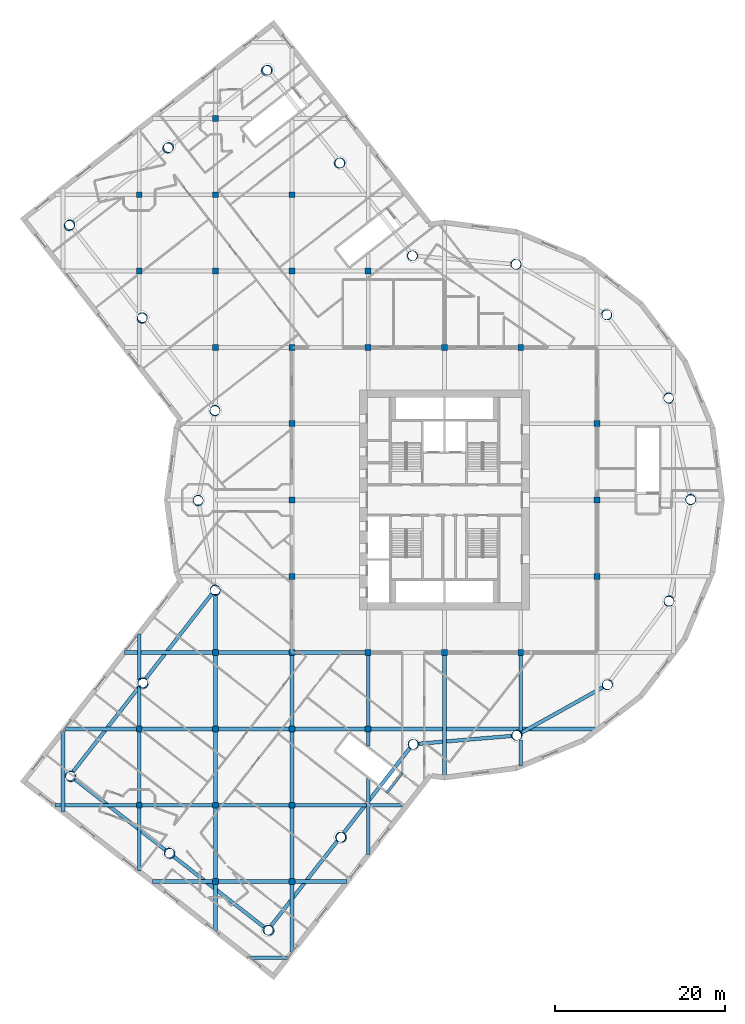
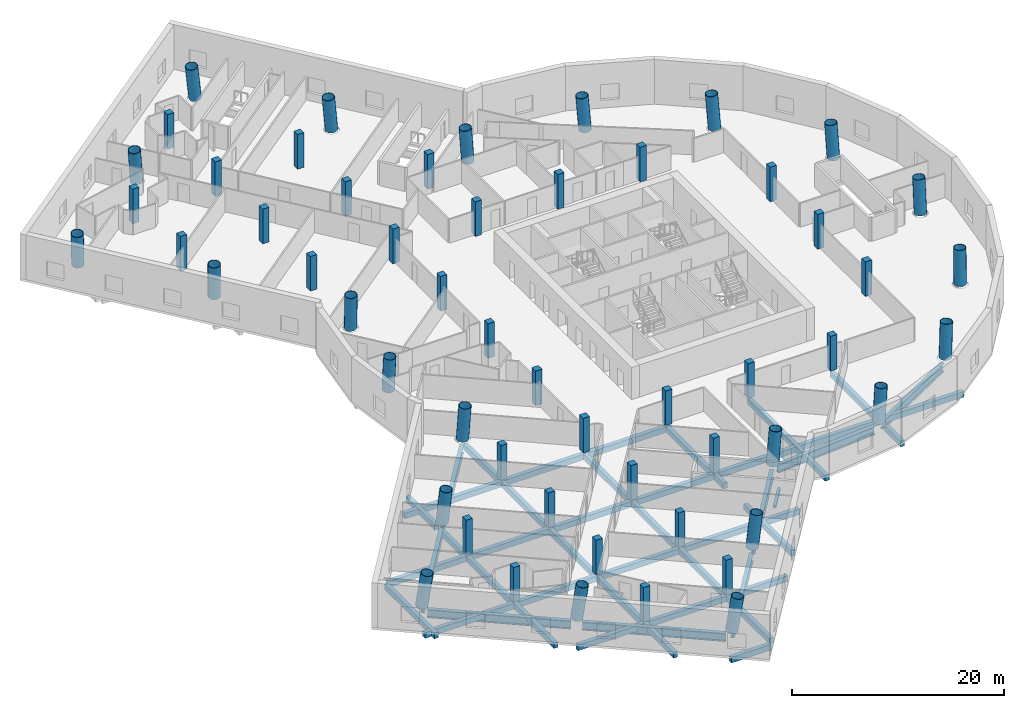
# One storey, part 1 of 15: 55 columns, 45 beams.
"""IFC4 building model written with IfcOpenShell, lengths in metres."""

from ifc_helpers import new_model, si_unit, direction, frame, origin, origin_2d, place, context, subcontext, project, spatial, rectangle, hollow_circle, i_section, extrude, material, material_profile, profile_set, type_object, element, save


model = new_model("IFC4")

# Units and contexts
model_context = context("Model", 3, precision=1e-05, world=origin(), true_north=direction((0.0, 1.0)))
body_context = subcontext(model_context, "Body", "Model", "MODEL_VIEW")
ifc_project = project(units=[si_unit("LENGTHUNIT", "METRE"), si_unit("AREAUNIT", "SQUARE_METRE"), si_unit("VOLUMEUNIT", "CUBIC_METRE"), si_unit("PLANEANGLEUNIT", "RADIAN"), si_unit("MASSUNIT", "GRAM", prefix="KILO")], contexts=[model_context])

# Site, building, storey
site_placement = place(None, origin())
site = spatial("IfcSite", under=ifc_project, at=site_placement, CompositionType="ELEMENT")
building_placement = place(site_placement, origin())
building = spatial("IfcBuilding", under=site, at=building_placement, Name="Tarsis Ring Headquarters", CompositionType="ELEMENT")
storey_placement = place(building_placement, frame((0.0, 0.0, 30.0)))
storey = spatial("IfcBuildingStorey", under=building, at=storey_placement, Name="L05", CompositionType="ELEMENT", Elevation=30.0)

# Columns
ifc_material_1 = material(Name="Concrete C40/50", Category="concrete")
ifc_material_profile_1 = material_profile(ifc_material_1, rectangle(XDim=0.699951171875, YDim=0.699951171875, at=origin_2d()), Name="PO-C700")
ifc_profile_set_1 = profile_set([ifc_material_profile_1], Name="Concrete C40/50")
column_type_1 = type_object("IfcColumnType", Name="PO-C700", PredefinedType="COLUMN", material=ifc_profile_set_1)
for number, where, z_axis, x_axis, name in (
    (1, (-36.0, -36.0, 0.0), (0.0, 0.0, 1.0), (1.0, 0.0, 0.0), "L05 column 1"),
    (2, (-36.0, -27.0, 0.0), (0.0, 0.0, 1.0), (1.0, 0.0, 0.0), "L05 column 2"),
    (3, (-36.0, 27.0, 0.0), (0.0, 0.0, 1.0), (1.0, 0.0, 0.0), "L05 column 3"),
    (4, (-36.0, 36.0, 0.0), (0.0, 0.0, 1.0), (1.0, 0.0, 0.0), "L05 column 4"),
    (5, (-27.0, -45.0, 0.0), (0.0, 0.0, 1.0), (1.0, 0.0, 0.0), "L05 column 5"),
    (6, (-27.0, -36.0, 0.0), (0.0, 0.0, 1.0), (1.0, 0.0, 0.0), "L05 column 6"),
    (7, (-27.0, -27.0, 0.0), (0.0, 0.0, 1.0), (1.0, 0.0, 0.0), "L05 column 7"),
    (8, (-27.0, -18.0, 0.0), (0.0, 0.0, 1.0), (1.0, 0.0, 0.0), "L05 column 8"),
    (9, (-27.0, 18.0, 0.0), (0.0, 0.0, 1.0), (1.0, 0.0, 0.0), "L05 column 9"),
    (10, (-27.0, 27.0, 0.0), (0.0, 0.0, 1.0), (1.0, 0.0, 0.0), "L05 column 10"),
    (11, (-27.0, 36.0, 0.0), (0.0, 0.0, 1.0), (1.0, 0.0, 0.0), "L05 column 11"),
    (12, (-27.0, 45.0, 0.0), (0.0, 0.0, 1.0), (1.0, 0.0, 0.0), "L05 column 12"),
    (13, (-18.0, -45.0, 0.0), (0.0, 0.0, 1.0), (1.0, 0.0, 0.0), "L05 column 13"),
    (14, (-18.0, -36.0, 0.0), (0.0, 0.0, 1.0), (1.0, 0.0, 0.0), "L05 column 14"),
    (15, (-18.0, -27.0, 0.0), (0.0, 0.0, 1.0), (1.0, 0.0, 0.0), "L05 column 15"),
    (16, (-18.0, -18.0, 0.0), (0.0, 0.0, 1.0), (1.0, 0.0, 0.0), "L05 column 16"),
    (17, (-18.0, -9.0, 0.0), (0.0, 0.0, 1.0), (1.0, 0.0, 0.0), "L05 column 17"),
    (18, (-18.0, 0.0, 0.0), (0.0, 0.0, 1.0), (1.0, 0.0, 0.0), "L05 column 18"),
    (19, (-18.0, 9.0, 0.0), (0.0, 0.0, 1.0), (1.0, 0.0, 0.0), "L05 column 19"),
    (20, (-18.0, 18.0, 0.0), (0.0, 0.0, 1.0), (1.0, 0.0, 0.0), "L05 column 20"),
    (21, (-18.0, 27.0, 0.0), (0.0, 0.0, 1.0), (1.0, 0.0, 0.0), "L05 column 21"),
    (22, (-18.0, 36.0, 0.0), (0.0, 0.0, 1.0), (1.0, 0.0, 0.0), "L05 column 22"),
    (23, (-9.0, -27.0, 0.0), (0.0, 0.0, 1.0), (1.0, 0.0, 0.0), "L05 column 23"),
    (24, (-9.0, -18.0, 0.0), (0.0, 0.0, 1.0), (1.0, 0.0, 0.0), "L05 column 24"),
    (25, (-9.0, 18.0, 0.0), (0.0, 0.0, 1.0), (1.0, 0.0, 0.0), "L05 column 25"),
    (26, (-9.0, 27.0, 0.0), (0.0, 0.0, 1.0), (1.0, 0.0, 0.0), "L05 column 26"),
    (27, (0.0, -18.0, 0.0), (0.0, 0.0, 1.0), (1.0, 0.0, 0.0), "L05 column 27"),
    (28, (0.0, 18.0, 0.0), (0.0, 0.0, 1.0), (1.0, 0.0, 0.0), "L05 column 28"),
    (29, (9.0, -18.0, 0.0), (0.0, 0.0, 1.0), (1.0, 0.0, 0.0), "L05 column 29"),
    (30, (9.0, 18.0, 0.0), (0.0, 0.0, 1.0), (1.0, 0.0, 0.0), "L05 column 30"),
    (31, (18.0, -9.0, 0.0), (0.0, 0.0, 1.0), (1.0, 0.0, 0.0), "L05 column 31"),
    (32, (18.0, 0.0, 0.0), (0.0, 0.0, 1.0), (1.0, 0.0, 0.0), "L05 column 32"),
    (33, (18.0, 9.0, 0.0), (0.0, 0.0, 1.0), (1.0, 0.0, 0.0), "L05 column 33"),
):
    element("IfcColumn", number, at=place(storey_placement, frame(where, z_axis=z_axis, x_axis=x_axis)), inside=storey, type_object=column_type_1, Name=name, PredefinedType="COLUMN", context=body_context, shape_type="SweptSolid", body=[
        extrude(rectangle(XDim=0.699951171875, YDim=0.699951171875, at=origin_2d()), origin(), (0.0, 0.0, 1.0), 4.0),
    ])
ifc_material_2 = material(Name="Structural steel S460", Category="steel")
ifc_material_profile_2 = material_profile(ifc_material_2, hollow_circle(Radius=0.609619140625, WallThickness=0.050048828125, at=origin_2d()), Name="CHS 1219x50")
ifc_profile_set_2 = profile_set([ifc_material_profile_2], Name="Structural steel S460")
column_type_2 = type_object("IfcColumnType", Name="XC Exo column CHS 1219x50", PredefinedType="COLUMN", material=ifc_profile_set_2)
column_1_placement = place(storey_placement, frame((-29.048583984375, -0.00244140625, 0.032958984375), z_axis=(0.000430746839, -0.075872979006, 0.99711739806), x_axis=(0.999983885033, 0.005677118569, 0.0)))
element("IfcColumn", 34, at=column_1_placement, inside=storey, type_object=column_type_2, Name="Exo column XC1 F1", PredefinedType="COLUMN", context=body_context, shape_type="SweptSolid", body=[
    extrude(hollow_circle(Radius=0.609619140625, WallThickness=0.050048828125, at=origin_2d()), origin(), (0.0, 0.0, 1.0), 3.967529296875),
])
column_2_placement = place(storey_placement, frame((-27.050537109375, -10.5869140625, 0.027587890625), z_axis=(0.0280220835, -0.070485372313, 0.99711913788), x_axis=(0.929256857726, 0.369434286943, 0.0)))
element("IfcColumn", 35, at=column_2_placement, inside=storey, type_object=column_type_2, Name="Exo column XC1 AK", PredefinedType="COLUMN", context=body_context, shape_type="SweptSolid", body=[
    extrude(hollow_circle(Radius=0.609619140625, WallThickness=0.050048828125, at=origin_2d()), origin(), (0.0, 0.0, 1.0), 3.972900390625),
])
column_3_placement = place(storey_placement, frame((-35.60791015625, -21.5439453125, 0.0419921875), z_axis=(0.056514663403, -0.09240578406, 0.99411632312), x_axis=(0.853099141758, 0.521748842195, 0.0)))
element("IfcColumn", 36, at=column_3_placement, inside=storey, type_object=column_type_2, Name="Exo column XC1 AI1", PredefinedType="COLUMN", context=body_context, shape_type="SweptSolid", body=[
    extrude(hollow_circle(Radius=0.609619140625, WallThickness=0.050048828125, at=origin_2d()), origin(), (0.0, 0.0, 1.0), 3.9658203125),
])
column_4_placement = place(storey_placement, frame((-44.16455078125, -32.501708984375, 0.05712890625), z_axis=(0.084772392869, -0.114036118605, 0.989853223999), x_axis=(0.802542183006, 0.596595377535, 0.0)))
element("IfcColumn", 37, at=column_4_placement, inside=storey, type_object=column_type_2, Name="Exo column XC1 AT1", PredefinedType="COLUMN", context=body_context, shape_type="SweptSolid", body=[
    extrude(hollow_circle(Radius=0.609619140625, WallThickness=0.050048828125, at=origin_2d()), origin(), (0.0, 0.0, 1.0), 3.962890625),
])
column_5_placement = place(storey_placement, frame((-32.500732421875, -41.611572265625, 0.055419921875), z_axis=(0.10831906595, -0.083734704565, 0.990583403456), x_axis=(0.611601189339, 0.791166218439, 0.0)))
element("IfcColumn", 38, at=column_5_placement, inside=storey, type_object=column_type_2, Name="Exo column XC1 AT2", PredefinedType="COLUMN", context=body_context, shape_type="SweptSolid", body=[
    extrude(hollow_circle(Radius=0.609619140625, WallThickness=0.050048828125, at=origin_2d()), origin(), (0.0, 0.0, 1.0), 3.96240234375),
])
column_6_placement = place(storey_placement, frame((-20.837646484375, -50.721435546875, 0.05126953125), z_axis=(0.131766084568, -0.053333891373, 0.989845035846), x_axis=(0.375192757733, 0.926946813223, 0.0)))
element("IfcColumn", 39, at=column_6_placement, inside=storey, type_object=column_type_2, Name="Exo column XC1 AT3", PredefinedType="COLUMN", context=body_context, shape_type="SweptSolid", body=[
    extrude(hollow_circle(Radius=0.609619140625, WallThickness=0.050048828125, at=origin_2d()), origin(), (0.0, 0.0, 1.0), 3.96875),
])
column_7_placement = place(storey_placement, frame((-12.281005859375, -39.764892578125, 0.040771484375), z_axis=(0.103639819087, -0.031448899972, 0.994117575838), x_axis=(0.290370110679, 0.956914415622, 0.0)))
element("IfcColumn", 40, at=column_7_placement, inside=storey, type_object=column_type_2, Name="Exo column XC1 AO1", PredefinedType="COLUMN", context=body_context, shape_type="SweptSolid", body=[
    extrude(hollow_circle(Radius=0.609619140625, WallThickness=0.050048828125, at=origin_2d()), origin(), (0.0, 0.0, 1.0), 3.967041015625),
])
column_8_placement = place(storey_placement, frame((-3.723876953125, -28.808837890625, 0.031005859375), z_axis=(0.075220917387, -0.009348797582, 0.997123068418), x_axis=(0.123335635429, 0.992365014011, 0.0)))
element("IfcColumn", 41, at=column_8_placement, inside=storey, type_object=column_type_2, Name="Exo column XC1 AJ", PredefinedType="COLUMN", context=body_context, shape_type="SweptSolid", body=[
    extrude(hollow_circle(Radius=0.609619140625, WallThickness=0.050048828125, at=origin_2d()), origin(), (0.0, 0.0, 1.0), 3.969482421875),
])
column_9_placement = place(storey_placement, frame((8.481689453125, -27.78271484375, 0.028564453125), z_axis=(0.072408289881, 0.022558440056, 0.99711993077), x_axis=(-0.297444215718, 0.954739199225, 0.0)))
element("IfcColumn", 42, at=column_9_placement, inside=storey, type_object=column_type_2, Name="Exo column XC1 R1", PredefinedType="COLUMN", context=body_context, shape_type="SweptSolid", body=[
    extrude(hollow_circle(Radius=0.609619140625, WallThickness=0.050048828125, at=origin_2d()), origin(), (0.0, 0.0, 1.0), 3.971923828125),
])
column_10_placement = place(storey_placement, frame((19.1796875, -21.81640625, 0.031982421875), z_axis=(0.056660389614, 0.050323777095, 0.997124424386), x_axis=(-0.664061454838, 0.747677994994, 0.0)))
element("IfcColumn", 43, at=column_10_placement, inside=storey, type_object=column_type_2, Name="Exo column XC1 R2", PredefinedType="COLUMN", context=body_context, shape_type="SweptSolid", body=[
    extrude(hollow_circle(Radius=0.609619140625, WallThickness=0.050048828125, at=origin_2d()), origin(), (0.0, 0.0, 1.0), 3.968505859375),
])
column_11_placement = place(storey_placement, frame((26.466796875, -11.9716796875, 0.02783203125), z_axis=(0.030912242464, 0.06926063073, 0.997119550654), x_axis=(-0.913175580593, 0.407566386014, 0.0)))
element("IfcColumn", 44, at=column_11_placement, inside=storey, type_object=column_type_2, Name="Exo column XC1 R3", PredefinedType="COLUMN", context=body_context, shape_type="SweptSolid", body=[
    extrude(hollow_circle(Radius=0.609619140625, WallThickness=0.050048828125, at=origin_2d()), origin(), (0.0, 0.0, 1.0), 3.97265625),
])
column_12_placement = place(storey_placement, frame((29.048583984375, 0.00244140625, 0.032958984375), z_axis=(-0.000430746839, 0.075872979006, 0.99711739806), x_axis=(-0.999983885033, -0.005677118569, 0.0)))
element("IfcColumn", 45, at=column_12_placement, inside=storey, type_object=column_type_2, Name="Exo column XC1 R4", PredefinedType="COLUMN", context=body_context, shape_type="SweptSolid", body=[
    extrude(hollow_circle(Radius=0.609619140625, WallThickness=0.050048828125, at=origin_2d()), origin(), (0.0, 0.0, 1.0), 3.967529296875),
])
column_13_placement = place(storey_placement, frame((26.465087890625, 11.975341796875, 0.028076171875), z_axis=(-0.031590194986, 0.068957585163, 0.997119306317), x_axis=(-0.90914153476, -0.416487298455, 0.0)))
element("IfcColumn", 46, at=column_13_placement, inside=storey, type_object=column_type_2, Name="Exo column XC1 R5", PredefinedType="COLUMN", context=body_context, shape_type="SweptSolid", body=[
    extrude(hollow_circle(Radius=0.609619140625, WallThickness=0.050048828125, at=origin_2d()), origin(), (0.0, 0.0, 1.0), 3.972412109375),
])
column_14_placement = place(storey_placement, frame((19.176025390625, 21.819580078125, 0.03173828125), z_axis=(-0.057210346467, 0.049766849776, 0.997120974065), x_axis=(-0.656319300782, -0.75448325059, 0.0)))
element("IfcColumn", 47, at=column_14_placement, inside=storey, type_object=column_type_2, Name="Exo column XC1 R6", PredefinedType="COLUMN", context=body_context, shape_type="SweptSolid", body=[
    extrude(hollow_circle(Radius=0.609619140625, WallThickness=0.050048828125, at=origin_2d()), origin(), (0.0, 0.0, 1.0), 3.96875),
])
column_15_placement = place(storey_placement, frame((8.4775390625, 27.783935546875, 0.02880859375), z_axis=(-0.072658602493, 0.021760698209, 0.997119450967), x_axis=(-0.286901731351, -0.957960018241, 0.0)))
element("IfcColumn", 48, at=column_15_placement, inside=storey, type_object=column_type_2, Name="Exo column XC1 R7", PredefinedType="COLUMN", context=body_context, shape_type="SweptSolid", body=[
    extrude(hollow_circle(Radius=0.609619140625, WallThickness=0.050048828125, at=origin_2d()), origin(), (0.0, 0.0, 1.0), 3.9716796875),
])
column_16_placement = place(storey_placement, frame((-3.728515625, 28.80810546875, 0.031005859375), z_axis=(-0.075159220651, -0.01008683485, 0.997120527977), x_axis=(0.13301368975, -0.991114200453, 0.0)))
element("IfcColumn", 49, at=column_16_placement, inside=storey, type_object=column_type_2, Name="Exo column XC1 BJ", PredefinedType="COLUMN", context=body_context, shape_type="SweptSolid", body=[
    extrude(hollow_circle(Radius=0.609619140625, WallThickness=0.050048828125, at=origin_2d()), origin(), (0.0, 0.0, 1.0), 3.969482421875),
])
column_17_placement = place(storey_placement, frame((-12.28955078125, 39.76220703125, 0.040771484375), z_axis=(-0.103331933962, -0.032495092991, 0.994115979328), x_axis=(0.299989105062, -0.953942627648, 0.0)))
element("IfcColumn", 50, at=column_17_placement, inside=storey, type_object=column_type_2, Name="Exo column XC1 BO1", PredefinedType="COLUMN", context=body_context, shape_type="SweptSolid", body=[
    extrude(hollow_circle(Radius=0.609619140625, WallThickness=0.050048828125, at=origin_2d()), origin(), (0.0, 0.0, 1.0), 3.967041015625),
])
column_18_placement = place(storey_placement, frame((-20.85107421875, 50.7158203125, 0.05126953125), z_axis=(-0.131151949513, -0.054687656246, 0.989852729649), x_axis=(0.384861287085, -0.92297442527, 0.0)))
element("IfcColumn", 51, at=column_18_placement, inside=storey, type_object=column_type_2, Name="Exo column XC1 BT3", PredefinedType="COLUMN", context=body_context, shape_type="SweptSolid", body=[
    extrude(hollow_circle(Radius=0.609619140625, WallThickness=0.050048828125, at=origin_2d()), origin(), (0.0, 0.0, 1.0), 3.96875),
])
column_19_placement = place(storey_placement, frame((-32.512939453125, 41.602294921875, 0.055908203125), z_axis=(-0.107468968478, -0.084915274406, 0.990575497873), x_axis=(0.619965156744, -0.784629342062, 0.0)))
element("IfcColumn", 52, at=column_19_placement, inside=storey, type_object=column_type_2, Name="Exo column XC1 BT2", PredefinedType="COLUMN", context=body_context, shape_type="SweptSolid", body=[
    extrude(hollow_circle(Radius=0.609619140625, WallThickness=0.050048828125, at=origin_2d()), origin(), (0.0, 0.0, 1.0), 3.9619140625),
])
column_20_placement = place(storey_placement, frame((-44.17431640625, 32.488525390625, 0.056884765625), z_axis=(-0.083596730492, -0.114891600861, 0.989854285591), x_axis=(0.808604821883, -0.588352141177, 0.0)))
element("IfcColumn", 53, at=column_20_placement, inside=storey, type_object=column_type_2, Name="Exo column XC1 BT1", PredefinedType="COLUMN", context=body_context, shape_type="SweptSolid", body=[
    extrude(hollow_circle(Radius=0.609619140625, WallThickness=0.050048828125, at=origin_2d()), origin(), (0.0, 0.0, 1.0), 3.963134765625),
])
column_21_placement = place(storey_placement, frame((-35.61279296875, 21.5361328125, 0.041748046875), z_axis=(-0.055587841931, -0.092954198578, 0.994117452214), x_axis=(0.858244268421, -0.51324143999, 0.0)))
element("IfcColumn", 54, at=column_21_placement, inside=storey, type_object=column_type_2, Name="Exo column XC1 BI1", PredefinedType="COLUMN", context=body_context, shape_type="SweptSolid", body=[
    extrude(hollow_circle(Radius=0.609619140625, WallThickness=0.050048828125, at=origin_2d()), origin(), (0.0, 0.0, 1.0), 3.966064453125),
])
column_22_placement = place(storey_placement, frame((-27.052001953125, 10.5830078125, 0.02783203125), z_axis=(-0.027286415074, -0.070735729167, 0.997121812103), x_axis=(0.932989993661, -0.359902308589, 0.0)))
element("IfcColumn", 55, at=column_22_placement, inside=storey, type_object=column_type_2, Name="Exo column XC1 BK", PredefinedType="COLUMN", context=body_context, shape_type="SweptSolid", body=[
    extrude(hollow_circle(Radius=0.609619140625, WallThickness=0.050048828125, at=origin_2d()), origin(), (0.0, 0.0, 1.0), 3.97265625),
])

# Beams
ifc_material_profile_3 = material_profile(ifc_material_1, rectangle(XDim=0.449951171875, YDim=0.64990234375, at=origin_2d()), Name="PO-B450")
ifc_profile_set_3 = profile_set([ifc_material_profile_3], Name="Concrete C40/50")
beam_type_1 = type_object("IfcBeamType", Name="PO-B450", PredefinedType="BEAM", material=ifc_profile_set_3)
beam_1_placement = place(storey_placement, frame((-45.0, -36.73193359375, -0.574951171875), z_axis=(0.0, 1.0, 0.0), x_axis=(-1.0, 0.0, 0.0)))
element("IfcBeam", 56, at=beam_1_placement, inside=storey, type_object=beam_type_1, Name="L05 floor beam 1", PredefinedType="BEAM", context=body_context, shape_type="SweptSolid", body=[
    extrude(rectangle(XDim=0.449951171875, YDim=0.64990234375, at=origin_2d()), origin(), (0.0, 0.0, 1.0), 9.42724609375),
])
beam_2_placement = place(storey_placement, frame((-36.0, -43.763671875, -0.574951171875), z_axis=(0.0, 1.0, 0.0), x_axis=(-1.0, 0.0, 0.0)))
element("IfcBeam", 57, at=beam_2_placement, inside=storey, type_object=beam_type_1, Name="L05 floor beam 3", PredefinedType="BEAM", context=body_context, shape_type="SweptSolid", body=[
    extrude(rectangle(XDim=0.449951171875, YDim=0.64990234375, at=origin_2d()), origin(), (0.0, 0.0, 1.0), 7.763671875),
])
beam_3_placement = place(storey_placement, frame((-36.0, -36.0, -0.574951171875), z_axis=(0.0, 1.0, 0.0), x_axis=(-1.0, 0.0, 0.0)))
element("IfcBeam", 58, at=beam_3_placement, inside=storey, type_object=beam_type_1, Name="L05 floor beam 4", PredefinedType="BEAM", context=body_context, shape_type="SweptSolid", body=[
    extrude(rectangle(XDim=0.449951171875, YDim=0.64990234375, at=origin_2d()), origin(), (0.0, 0.0, 1.0), 9.0),
])
beam_4_placement = place(storey_placement, frame((-36.0, -27.0, -0.574951171875), z_axis=(0.0, 1.0, 0.0), x_axis=(-1.0, 0.0, 0.0)))
element("IfcBeam", 59, at=beam_4_placement, inside=storey, type_object=beam_type_1, Name="L05 floor beam 5", PredefinedType="BEAM", context=body_context, shape_type="SweptSolid", body=[
    extrude(rectangle(XDim=0.449951171875, YDim=0.64990234375, at=origin_2d()), origin(), (0.0, 0.0, 1.0), 5.146484375),
])
beam_5_placement = place(storey_placement, frame((-36.0, -21.2265625, -0.574951171875), z_axis=(0.0, 1.0, 0.0), x_axis=(-1.0, 0.0, 0.0)))
element("IfcBeam", 60, at=beam_5_placement, inside=storey, type_object=beam_type_1, Name="L05 floor beam 6", PredefinedType="BEAM", context=body_context, shape_type="SweptSolid", body=[
    extrude(rectangle(XDim=0.449951171875, YDim=0.64990234375, at=origin_2d()), origin(), (0.0, 0.0, 1.0), 5.44140625),
])
beam_6_placement = place(storey_placement, frame((-27.0, -50.795166015625, -0.574951171875), z_axis=(0.0, 1.0, 0.0), x_axis=(-1.0, 0.0, 0.0)))
element("IfcBeam", 61, at=beam_6_placement, inside=storey, type_object=beam_type_1, Name="L05 floor beam 11", PredefinedType="BEAM", context=body_context, shape_type="SweptSolid", body=[
    extrude(rectangle(XDim=0.449951171875, YDim=0.64990234375, at=origin_2d()), origin(), (0.0, 0.0, 1.0), 5.795166015625),
])
for number, where, z_axis, x_axis, name in (
    (62, (-27.0, -45.0, -0.574951171875), (0.0, 1.0, 0.0), (-1.0, 0.0, 0.0), "L05 floor beam 12"),
    (63, (-27.0, -36.0, -0.574951171875), (0.0, 1.0, 0.0), (-1.0, 0.0, 0.0), "L05 floor beam 13"),
    (64, (-27.0, -27.0, -0.574951171875), (0.0, 1.0, 0.0), (-1.0, 0.0, 0.0), "L05 floor beam 14"),
):
    element("IfcBeam", number, at=place(storey_placement, frame(where, z_axis=z_axis, x_axis=x_axis)), inside=storey, type_object=beam_type_1, Name=name, PredefinedType="BEAM", context=body_context, shape_type="SweptSolid", body=[
        extrude(rectangle(XDim=0.449951171875, YDim=0.64990234375, at=origin_2d()), origin(), (0.0, 0.0, 1.0), 9.0),
    ])
beam_7_placement = place(storey_placement, frame((-27.0, -18.0, -0.574951171875), z_axis=(0.0, 1.0, 0.0), x_axis=(-1.0, 0.0, 0.0)))
element("IfcBeam", 65, at=beam_7_placement, inside=storey, type_object=beam_type_1, Name="L05 floor beam 15", PredefinedType="BEAM", context=body_context, shape_type="SweptSolid", body=[
    extrude(rectangle(XDim=0.449951171875, YDim=0.64990234375, at=origin_2d()), origin(), (0.0, 0.0, 1.0), 6.917724609375),
])
beam_8_placement = place(storey_placement, frame((-18.0, -53.33154296875, -0.574951171875), z_axis=(0.0, 1.0, 0.0), x_axis=(-1.0, 0.0, 0.0)))
element("IfcBeam", 66, at=beam_8_placement, inside=storey, type_object=beam_type_1, Name="L05 floor beam 22", PredefinedType="BEAM", context=body_context, shape_type="SweptSolid", body=[
    extrude(rectangle(XDim=0.449951171875, YDim=0.64990234375, at=origin_2d()), origin(), (0.0, 0.0, 1.0), 8.33154296875),
])
for number, where, z_axis, x_axis, name in (
    (67, (-18.0, -45.0, -0.574951171875), (0.0, 1.0, 0.0), (-1.0, 0.0, 0.0), "L05 floor beam 23"),
    (68, (-18.0, -36.0, -0.574951171875), (0.0, 1.0, 0.0), (-1.0, 0.0, 0.0), "L05 floor beam 24"),
    (69, (-18.0, -27.0, -0.574951171875), (0.0, 1.0, 0.0), (-1.0, 0.0, 0.0), "L05 floor beam 25"),
):
    element("IfcBeam", number, at=place(storey_placement, frame(where, z_axis=z_axis, x_axis=x_axis)), inside=storey, type_object=beam_type_1, Name=name, PredefinedType="BEAM", context=body_context, shape_type="SweptSolid", body=[
        extrude(rectangle(XDim=0.449951171875, YDim=0.64990234375, at=origin_2d()), origin(), (0.0, 0.0, 1.0), 9.0),
    ])
beam_9_placement = place(storey_placement, frame((-9.0, -41.81201171875, -0.574951171875), z_axis=(0.0, 1.0, 0.0), x_axis=(-1.0, 0.0, 0.0)))
element("IfcBeam", 70, at=beam_9_placement, inside=storey, type_object=beam_type_1, Name="L05 floor beam 34", PredefinedType="BEAM", context=body_context, shape_type="SweptSolid", body=[
    extrude(rectangle(XDim=0.449951171875, YDim=0.64990234375, at=origin_2d()), origin(), (0.0, 0.0, 1.0), 8.939697265625),
])
beam_10_placement = place(storey_placement, frame((-9.0, -29.003173828125, -0.574951171875), z_axis=(0.0, 1.0, 0.0), x_axis=(-1.0, 0.0, 0.0)))
element("IfcBeam", 71, at=beam_10_placement, inside=storey, type_object=beam_type_1, Name="L05 floor beam 35", PredefinedType="BEAM", context=body_context, shape_type="SweptSolid", body=[
    extrude(rectangle(XDim=0.449951171875, YDim=0.64990234375, at=origin_2d()), origin(), (0.0, 0.0, 1.0), 2.003173828125),
])
beam_11_placement = place(storey_placement, frame((-9.0, -27.0, -0.574951171875), z_axis=(0.0, 1.0, 0.0), x_axis=(-1.0, 0.0, 0.0)))
element("IfcBeam", 72, at=beam_11_placement, inside=storey, type_object=beam_type_1, Name="L05 floor beam 36", PredefinedType="BEAM", context=body_context, shape_type="SweptSolid", body=[
    extrude(rectangle(XDim=0.449951171875, YDim=0.64990234375, at=origin_2d()), origin(), (0.0, 0.0, 1.0), 9.0),
])
beam_12_placement = place(storey_placement, frame((0.0, -32.70458984375, -0.574951171875), z_axis=(0.0, 1.0, 0.0), x_axis=(-1.0, 0.0, 0.0)))
element("IfcBeam", 73, at=beam_12_placement, inside=storey, type_object=beam_type_1, Name="L05 floor beam 42", PredefinedType="BEAM", context=body_context, shape_type="SweptSolid", body=[
    extrude(rectangle(XDim=0.449951171875, YDim=0.64990234375, at=origin_2d()), origin(), (0.0, 0.0, 1.0), 14.70458984375),
])
beam_13_placement = place(storey_placement, frame((9.0, -31.371337890625, -0.574951171875), z_axis=(0.0, 1.0, 0.0), x_axis=(-1.0, 0.0, 0.0)))
element("IfcBeam", 74, at=beam_13_placement, inside=storey, type_object=beam_type_1, Name="L05 floor beam 46", PredefinedType="BEAM", context=body_context, shape_type="SweptSolid", body=[
    extrude(rectangle(XDim=0.449951171875, YDim=0.64990234375, at=origin_2d()), origin(), (0.0, 0.0, 1.0), 3.050048828125),
])
beam_14_placement = place(storey_placement, frame((9.0, -27.245361328125, -0.574951171875), z_axis=(0.0, 1.0, 0.0), x_axis=(-1.0, 0.0, 0.0)))
element("IfcBeam", 75, at=beam_14_placement, inside=storey, type_object=beam_type_1, Name="L05 floor beam 47", PredefinedType="BEAM", context=body_context, shape_type="SweptSolid", body=[
    extrude(rectangle(XDim=0.449951171875, YDim=0.64990234375, at=origin_2d()), origin(), (0.0, 0.0, 1.0), 9.245361328125),
])
beam_15_placement = place(storey_placement, frame((-22.89794921875, -54.0, -0.574951171875), z_axis=(1.0, 0.0, 0.0), x_axis=(0.0, 1.0, 0.0)))
element("IfcBeam", 76, at=beam_15_placement, inside=storey, type_object=beam_type_1, Name="L05 floor beam 59", PredefinedType="BEAM", context=body_context, shape_type="SweptSolid", body=[
    extrude(rectangle(XDim=0.449951171875, YDim=0.64990234375, at=origin_2d()), origin(), (0.0, 0.0, 1.0), 4.375732421875),
])
beam_16_placement = place(storey_placement, frame((-34.41748046875, -45.0, -0.574951171875), z_axis=(1.0, 0.0, 0.0), x_axis=(0.0, 1.0, 0.0)))
element("IfcBeam", 77, at=beam_16_placement, inside=storey, type_object=beam_type_1, Name="L05 floor beam 60", PredefinedType="BEAM", context=body_context, shape_type="SweptSolid", body=[
    extrude(rectangle(XDim=0.449951171875, YDim=0.64990234375, at=origin_2d()), origin(), (0.0, 0.0, 1.0), 7.41748046875),
])
beam_17_placement = place(storey_placement, frame((-27.0, -45.0, -0.574951171875), z_axis=(1.0, 0.0, 0.0), x_axis=(0.0, 1.0, 0.0)))
element("IfcBeam", 78, at=beam_17_placement, inside=storey, type_object=beam_type_1, Name="L05 floor beam 61", PredefinedType="BEAM", context=body_context, shape_type="SweptSolid", body=[
    extrude(rectangle(XDim=0.449951171875, YDim=0.64990234375, at=origin_2d()), origin(), (0.0, 0.0, 1.0), 9.0),
])
beam_18_placement = place(storey_placement, frame((-18.0, -45.0, -0.574951171875), z_axis=(1.0, 0.0, 0.0), x_axis=(0.0, 1.0, 0.0)))
element("IfcBeam", 79, at=beam_18_placement, inside=storey, type_object=beam_type_1, Name="L05 floor beam 62", PredefinedType="BEAM", context=body_context, shape_type="SweptSolid", body=[
    extrude(rectangle(XDim=0.449951171875, YDim=0.64990234375, at=origin_2d()), origin(), (0.0, 0.0, 1.0), 6.50927734375),
])
beam_19_placement = place(storey_placement, frame((-45.93701171875, -36.0, -0.574951171875), z_axis=(1.0, 0.0, 0.0), x_axis=(0.0, 1.0, 0.0)))
element("IfcBeam", 80, at=beam_19_placement, inside=storey, type_object=beam_type_1, Name="L05 floor beam 63", PredefinedType="BEAM", context=body_context, shape_type="SweptSolid", body=[
    extrude(rectangle(XDim=0.449951171875, YDim=0.64990234375, at=origin_2d()), origin(), (0.0, 0.0, 1.0), 9.93701171875),
])
for number, where, z_axis, x_axis, name in (
    (81, (-36.0, -36.0, -0.574951171875), (1.0, 0.0, 0.0), (0.0, 1.0, 0.0), "L05 floor beam 64"),
    (82, (-27.0, -36.0, -0.574951171875), (1.0, 0.0, 0.0), (0.0, 1.0, 0.0), "L05 floor beam 65"),
):
    element("IfcBeam", number, at=place(storey_placement, frame(where, z_axis=z_axis, x_axis=x_axis)), inside=storey, type_object=beam_type_1, Name=name, PredefinedType="BEAM", context=body_context, shape_type="SweptSolid", body=[
        extrude(rectangle(XDim=0.449951171875, YDim=0.64990234375, at=origin_2d()), origin(), (0.0, 0.0, 1.0), 9.0),
    ])
beam_20_placement = place(storey_placement, frame((-18.0, -36.0, -0.574951171875), z_axis=(1.0, 0.0, 0.0), x_axis=(0.0, 1.0, 0.0)))
element("IfcBeam", 83, at=beam_20_placement, inside=storey, type_object=beam_type_1, Name="L05 floor beam 66", PredefinedType="BEAM", context=body_context, shape_type="SweptSolid", body=[
    extrude(rectangle(XDim=0.449951171875, YDim=0.64990234375, at=origin_2d()), origin(), (0.0, 0.0, 1.0), 13.0068359375),
])
beam_21_placement = place(storey_placement, frame((-44.761962890625, -27.0, -0.574951171875), z_axis=(1.0, 0.0, 0.0), x_axis=(0.0, 1.0, 0.0)))
element("IfcBeam", 84, at=beam_21_placement, inside=storey, type_object=beam_type_1, Name="L05 floor beam 67", PredefinedType="BEAM", context=body_context, shape_type="SweptSolid", body=[
    extrude(rectangle(XDim=0.449951171875, YDim=0.64990234375, at=origin_2d()), origin(), (0.0, 0.0, 1.0), 8.761962890625),
])
for number, where, z_axis, x_axis, name in (
    (85, (-36.0, -27.0, -0.574951171875), (1.0, 0.0, 0.0), (0.0, 1.0, 0.0), "L05 floor beam 68"),
    (86, (-27.0, -27.0, -0.574951171875), (1.0, 0.0, 0.0), (0.0, 1.0, 0.0), "L05 floor beam 69"),
    (87, (-18.0, -27.0, -0.574951171875), (1.0, 0.0, 0.0), (0.0, 1.0, 0.0), "L05 floor beam 70"),
):
    element("IfcBeam", number, at=place(storey_placement, frame(where, z_axis=z_axis, x_axis=x_axis)), inside=storey, type_object=beam_type_1, Name=name, PredefinedType="BEAM", context=body_context, shape_type="SweptSolid", body=[
        extrude(rectangle(XDim=0.449951171875, YDim=0.64990234375, at=origin_2d()), origin(), (0.0, 0.0, 1.0), 9.0),
    ])
beam_22_placement = place(storey_placement, frame((-9.0, -27.0, -0.574951171875), z_axis=(1.0, 0.0, 0.0), x_axis=(0.0, 1.0, 0.0)))
element("IfcBeam", 88, at=beam_22_placement, inside=storey, type_object=beam_type_1, Name="L05 floor beam 71", PredefinedType="BEAM", context=body_context, shape_type="SweptSolid", body=[
    extrude(rectangle(XDim=0.449951171875, YDim=0.64990234375, at=origin_2d()), origin(), (0.0, 0.0, 1.0), 27.0810546875),
])
beam_23_placement = place(storey_placement, frame((-37.730224609375, -18.0, -0.574951171875), z_axis=(1.0, 0.0, 0.0), x_axis=(0.0, 1.0, 0.0)))
element("IfcBeam", 89, at=beam_23_placement, inside=storey, type_object=beam_type_1, Name="L05 floor beam 72", PredefinedType="BEAM", context=body_context, shape_type="SweptSolid", body=[
    extrude(rectangle(XDim=0.449951171875, YDim=0.64990234375, at=origin_2d()), origin(), (0.0, 0.0, 1.0), 10.730224609375),
])
for number, where, z_axis, x_axis, name in (
    (90, (-27.0, -18.0, -0.574951171875), (1.0, 0.0, 0.0), (0.0, 1.0, 0.0), "L05 floor beam 73"),
    (91, (-18.0, -18.0, -0.574951171875), (1.0, 0.0, 0.0), (0.0, 1.0, 0.0), "L05 floor beam 74"),
):
    element("IfcBeam", number, at=place(storey_placement, frame(where, z_axis=z_axis, x_axis=x_axis)), inside=storey, type_object=beam_type_1, Name=name, PredefinedType="BEAM", context=body_context, shape_type="SweptSolid", body=[
        extrude(rectangle(XDim=0.449951171875, YDim=0.64990234375, at=origin_2d()), origin(), (0.0, 0.0, 1.0), 9.0),
    ])
ifc_material_3 = material(Name="Concrete C60/75", Category="concrete")
ifc_material_profile_4 = material_profile(ifc_material_3, rectangle(XDim=0.300048828125, YDim=0.300048828125, at=origin_2d()), Name="PO-SHB300")
ifc_profile_set_4 = profile_set([ifc_material_profile_4], Name="Concrete C60/75")
beam_type_2 = type_object("IfcBeamType", Name="PO-SHB300", PredefinedType="BEAM", material=ifc_profile_set_4)
beam_24_placement = place(storey_placement, frame((-4.955322265625, -32.160400390625, -0.39990234375), z_axis=(-0.615308465652, -0.788286427701, 0.0), x_axis=(0.788286427701, -0.615308465652, 0.0)))
element("IfcBeam", 92, at=beam_24_placement, inside=storey, type_object=beam_type_2, Name="Stair head beam L05 PS2", PredefinedType="BEAM", context=body_context, shape_type="SweptSolid", body=[
    extrude(rectangle(XDim=0.300048828125, YDim=0.300048828125, at=origin_2d()), origin(), (0.0, 0.0, 1.0), 3.050048828125),
])
ifc_material_4 = material(Name="Structural steel S355", Category="steel")
ifc_material_profile_5 = material_profile(ifc_material_4, i_section(OverallWidth=0.42431640625, OverallDepth=0.947509765625, WebThickness=0.02392578125, FlangeThickness=0.042724609375, at=origin_2d()), Name="W36x302")
ifc_profile_set_5 = profile_set([ifc_material_profile_5], Name="Structural steel S355")
beam_type_3 = type_object("IfcBeamType", Name="XG Ring girder W36x302", PredefinedType="BEAM", material=ifc_profile_set_5)
for number, where, z_axis, x_axis, name in (
    (93, (-27.38916015625, -11.017333984375, -0.7236328125), (-0.615666981287, -0.788006451847, 0.0), (0.788006451847, -0.615666981287, 0.0), "Ring girder XG1"),
    (94, (-35.9482421875, -21.972412109375, -0.7236328125), (-0.615666981287, -0.788006451847, 0.0), (0.788006451847, -0.615666981287, 0.0), "Ring girder XG1"),
):
    element("IfcBeam", number, at=place(storey_placement, frame(where, z_axis=z_axis, x_axis=x_axis)), inside=storey, type_object=beam_type_3, Name=name, PredefinedType="BEAM", context=body_context, shape_type="SweptSolid", body=[
        extrude(i_section(OverallWidth=0.42431640625, OverallDepth=0.947509765625, WebThickness=0.02392578125, FlangeThickness=0.042724609375, at=origin_2d()), origin(), (0.0, 0.0, 1.0), 12.804931640625),
    ])
for number, where, z_axis, x_axis, name in (
    (95, (-43.737060546875, -32.8330078125, -0.7236328125), (0.7880081664, -0.615664786785, 0.0), (0.615664786785, 0.7880081664, 0.0), "Ring girder XG1"),
    (96, (-32.07470703125, -41.94482421875, -0.7236328125), (0.788023563374, -0.61564507922, 0.0), (0.61564507922, 0.788023563374, 0.0), "Ring girder XG1"),
):
    element("IfcBeam", number, at=place(storey_placement, frame(where, z_axis=z_axis, x_axis=x_axis)), inside=storey, type_object=beam_type_3, Name=name, PredefinedType="BEAM", context=body_context, shape_type="SweptSolid", body=[
        extrude(i_section(OverallWidth=0.42431640625, OverallDepth=0.947509765625, WebThickness=0.02392578125, FlangeThickness=0.042724609375, at=origin_2d()), origin(), (0.0, 0.0, 1.0), 13.70263671875),
    ])
for number, where, z_axis, x_axis, name in (
    (97, (-20.506591796875, -50.286376953125, -0.7236328125), (0.615666981287, 0.788006451847, 0.0), (-0.788006451847, 0.615666981287, 0.0), "Ring girder XG1"),
    (98, (-11.947509765625, -39.331298828125, -0.7236328125), (0.615666981287, 0.788006451847, 0.0), (-0.788006451847, 0.615666981287, 0.0), "Ring girder XG1"),
):
    element("IfcBeam", number, at=place(storey_placement, frame(where, z_axis=z_axis, x_axis=x_axis)), inside=storey, type_object=beam_type_3, Name=name, PredefinedType="BEAM", context=body_context, shape_type="SweptSolid", body=[
        extrude(i_section(OverallWidth=0.42431640625, OverallDepth=0.947509765625, WebThickness=0.02392578125, FlangeThickness=0.042724609375, at=origin_2d()), origin(), (0.0, 0.0, 1.0), 12.804931640625),
    ])
beam_25_placement = place(storey_placement, frame((-3.179443359375, -28.7626953125, -0.7236328125), z_axis=(0.996489363019, 0.083719468411, 0.0), x_axis=(-0.083719468411, 0.996489363019, 0.0)))
element("IfcBeam", 99, at=beam_25_placement, inside=storey, type_object=beam_type_3, Name="Ring girder XG1", PredefinedType="BEAM", context=body_context, shape_type="SweptSolid", body=[
    extrude(i_section(OverallWidth=0.42431640625, OverallDepth=0.947509765625, WebThickness=0.02392578125, FlangeThickness=0.042724609375, at=origin_2d()), origin(), (0.0, 0.0, 1.0), 11.1513671875),
])
beam_26_placement = place(storey_placement, frame((8.958740234375, -27.51611328125, -0.7236328125), z_axis=(0.873397184148, 0.487008581776, 0.0), x_axis=(-0.487008581776, 0.873397184148, 0.0)))
element("IfcBeam", 100, at=beam_26_placement, inside=storey, type_object=beam_type_3, Name="Ring girder XG1", PredefinedType="BEAM", context=body_context, shape_type="SweptSolid", body=[
    extrude(i_section(OverallWidth=0.42431640625, OverallDepth=0.947509765625, WebThickness=0.02392578125, FlangeThickness=0.042724609375, at=origin_2d()), origin(), (0.0, 0.0, 1.0), 11.151611328125),
])

save(model, "model.ifc")
